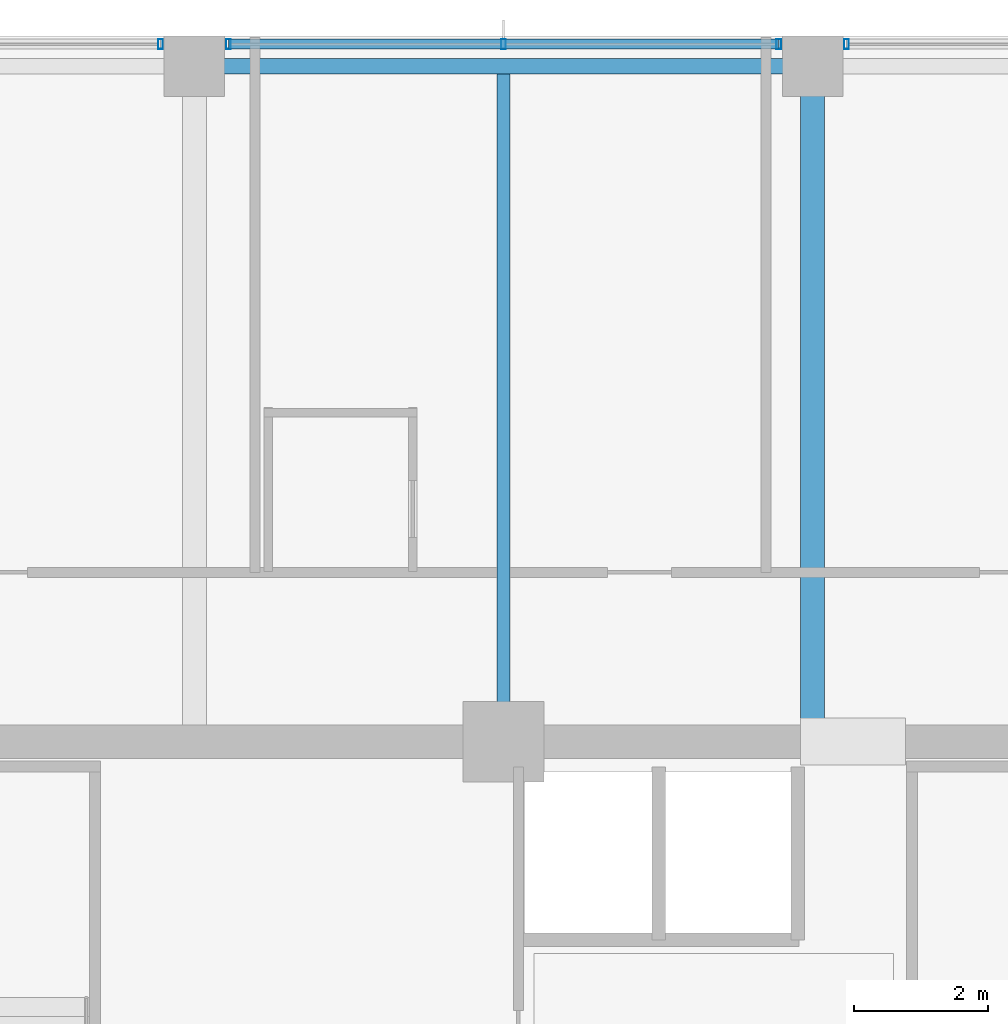
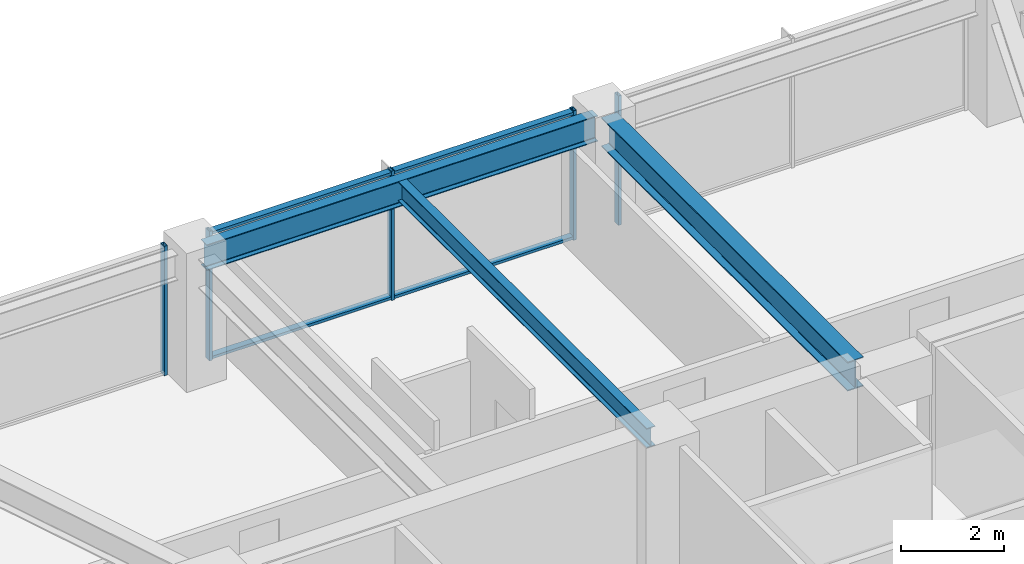
# One storey, part 18 of 34: 7 members, 3 beams, 3 elements without a shape of their own.
"""IFC4 building model written with IfcOpenShell, lengths in metres."""

from ifc_helpers import new_model, si_unit, direction, frame, origin, origin_2d, place, context, subcontext, project, spatial, hollow_rectangle, i_section, extrude, material, material_profile, profile_set, type_object, element, aggregate, save


model = new_model("IFC4")

# Units and contexts
model_context = context("Model", 3, precision=1e-05, world=origin(), true_north=direction((0.0, 1.0)))
body_context = subcontext(model_context, "Body", "Model", "MODEL_VIEW")
ifc_project = project(units=[si_unit("LENGTHUNIT", "METRE"), si_unit("AREAUNIT", "SQUARE_METRE"), si_unit("VOLUMEUNIT", "CUBIC_METRE"), si_unit("PLANEANGLEUNIT", "RADIAN"), si_unit("MASSUNIT", "GRAM", prefix="KILO")], contexts=[model_context])

# Site, building, storey
site_placement = place(None, origin())
site = spatial("IfcSite", under=ifc_project, at=site_placement, CompositionType="ELEMENT")
building_placement = place(site_placement, origin())
building = spatial("IfcBuilding", under=site, at=building_placement, Name="Kolvaren Belvedere", CompositionType="ELEMENT")
storey_placement = place(building_placement, frame((0.0, 0.0, 189.89990234375)))
storey = spatial("IfcBuildingStorey", under=building, at=storey_placement, Name="L55", CompositionType="ELEMENT", Elevation=189.89990234375)

# Beams
ifc_material_1 = material(Name="Structural steel ASTM A992 Grade 50", Category="steel")
ifc_material_profile_1 = material_profile(ifc_material_1, i_section(OverallWidth=0.35498046875, OverallDepth=0.696044921875, WebThickness=0.015380859375, FlangeThickness=0.02490234375, FilletRadius=0.02197265625, at=origin_2d()), Name="W27X146")
ifc_profile_set_1 = profile_set([ifc_material_profile_1], Name="Structural steel ASTM A992 Grade 50")
beam_type_1 = type_object("IfcBeamType", Name="BM-GIRD-W27X146", PredefinedType="BEAM", material=ifc_profile_set_1)
beam_1_placement = place(storey_placement, frame((4.60009765625, 10.14990234375, 2.732177734375), z_axis=(0.0, 1.0, 0.0), x_axis=(-1.0, 0.0, 0.0)))
element("IfcBeam", 1, at=beam_1_placement, inside=storey, type_object=beam_type_1, Name="L55 North Radial Girder P", PredefinedType="BEAM", context=body_context, shape_type="SweptSolid", body=[
    extrude(i_section(OverallWidth=0.35498046875, OverallDepth=0.696044921875, WebThickness=0.015380859375, FlangeThickness=0.02490234375, FilletRadius=0.02197265625, at=origin_2d()), origin(), (0.0, 0.0, 1.0), 9.59765625),
])
ifc_material_2 = material(Name="Structural steel ASTM A992 Grade 50", Category="steel")
ifc_material_profile_2 = material_profile(ifc_material_2, i_section(OverallWidth=0.19091796875, OverallDepth=0.4599609375, WebThickness=0.010009765625, FlangeThickness=0.01611328125, FilletRadius=0.014892578125, at=origin_2d()), Name="W18X55")
ifc_profile_set_2 = profile_set([ifc_material_profile_2], Name="Structural steel ASTM A992 Grade 50")
beam_type_2 = type_object("IfcBeamType", Name="BM-JOIST-W18X55", PredefinedType="BEAM", material=ifc_profile_set_2)
beam_2_placement = place(storey_placement, frame((0.0, 10.14990234375, 2.85009765625), z_axis=(0.0, 1.0, 0.0), x_axis=(-1.0, 0.0, 0.0)))
element("IfcBeam", 2, at=beam_2_placement, inside=storey, type_object=beam_type_2, Name="L55 North Centre Floor Beam", PredefinedType="BEAM", context=body_context, shape_type="SweptSolid", body=[
    extrude(i_section(OverallWidth=0.19091796875, OverallDepth=0.4599609375, WebThickness=0.010009765625, FlangeThickness=0.01611328125, FilletRadius=0.014892578125, at=origin_2d()), origin(), (0.0, 0.0, 1.0), 9.685546875),
])
ifc_material_3 = material(Name="Structural steel ASTM A992 Grade 50", Category="steel")
ifc_material_profile_3 = material_profile(ifc_material_3, i_section(OverallWidth=0.22900390625, OverallDepth=0.612060546875, WebThickness=0.011962890625, FlangeThickness=0.01953125, FilletRadius=0.01806640625, at=origin_2d()), Name="W24X84")
ifc_profile_set_3 = profile_set([ifc_material_profile_3], Name="Structural steel ASTM A992 Grade 50")
beam_type_3 = type_object("IfcBeamType", Name="BM-SPAN-W24X84", PredefinedType="SPANDREL", material=ifc_profile_set_3)
beam_3_placement = place(storey_placement, frame((4.3974609375, 19.949951171875, 2.774169921875), z_axis=(-1.0, 0.0, 0.0), x_axis=(0.0, -1.0, 0.0)))
element("IfcBeam", 3, at=beam_3_placement, inside=storey, type_object=beam_type_3, Name="L55 Perimeter Spandrel N3-N2", PredefinedType="SPANDREL", context=body_context, shape_type="SweptSolid", body=[
    extrude(i_section(OverallWidth=0.22900390625, OverallDepth=0.612060546875, WebThickness=0.011962890625, FlangeThickness=0.01953125, FilletRadius=0.01806640625, at=origin_2d()), origin(), (0.0, 0.0, 1.0), 8.794921875),
])

# Curtain wall, member
ifc_material_4 = material(Name="Anodised pale-metal aluminium AA 6063-T6", Category="aluminium")
curtain_wall_type = type_object("IfcCurtainWallType", Name="CW-Z5-HIGH", PredefinedType="NOTDEFINED", material=ifc_material_4)
curtain_wall_1_placement = place(storey_placement, origin())
curtain_wall_1 = element("IfcCurtainWall", 4, at=curtain_wall_1_placement, inside=storey, type_object=curtain_wall_type, Name="L55 Unitised Curtain Wall FCW-L55-N-B1", PredefinedType="NOTDEFINED")
ifc_material_5 = material(Name="Anodised pale-metal aluminium AA 6063-T6", Category="aluminium")
ifc_material_profile_4 = material_profile(ifc_material_5, hollow_rectangle(XDim=0.070068359375, YDim=0.14990234375, WallThickness=0.004150390625, at=origin_2d()), Name="ALU-MUL-150X70")
ifc_profile_set_4 = profile_set([ifc_material_profile_4], Name="Anodised pale-metal aluminium AA 6063-T6")
member_type_1 = type_object("IfcMemberType", Name="CW-MUL-150", PredefinedType="MULLION", material=ifc_profile_set_4)
member_1_placement = place(storey_placement, frame((-5.10498046875, 20.280029296875, 0.0), z_axis=(0.0, 0.0, 1.0), x_axis=(1.0, 0.0, 0.0)))
member_1 = element("IfcMember", 5, at=member_1_placement, type_object=member_type_1, Name="FCW-L55-N-B1 Unitised Mullion 3", PredefinedType="MULLION", context=body_context, shape_type="SweptSolid", body=[
    extrude(hollow_rectangle(XDim=0.070068359375, YDim=0.14990234375, WallThickness=0.004150390625, at=origin_2d()), origin(), (0.0, 0.0, 1.0), 3.080078125),
])
aggregate(curtain_wall_1, [member_1])

# Curtain wall, members
curtain_wall_2_placement = place(storey_placement, origin())
curtain_wall_2 = element("IfcCurtainWall", 6, at=curtain_wall_2_placement, inside=storey, type_object=curtain_wall_type, Name="L55 Unitised Curtain Wall FCW-L55-N-B2", PredefinedType="NOTDEFINED")
member_2_placement = place(storey_placement, frame((-4.094970703125, 20.280029296875, 0.0), z_axis=(0.0, 0.0, 1.0), x_axis=(1.0, 0.0, 0.0)))
member_2 = element("IfcMember", 7, at=member_2_placement, type_object=member_type_1, Name="FCW-L55-N-B2 Unitised Mullion 1", PredefinedType="MULLION", context=body_context, shape_type="SweptSolid", body=[
    extrude(hollow_rectangle(XDim=0.070068359375, YDim=0.14990234375, WallThickness=0.004150390625, at=origin_2d()), origin(), (0.0, 0.0, 1.0), 3.080078125),
])
member_3_placement = place(storey_placement, frame((0.0, 20.280029296875, 0.0), z_axis=(0.0, 0.0, 1.0), x_axis=(1.0, 0.0, 0.0)))
member_3 = element("IfcMember", 8, at=member_3_placement, type_object=member_type_1, Name="FCW-L55-N-B2 Unitised Mullion 2", PredefinedType="MULLION", context=body_context, shape_type="SweptSolid", body=[
    extrude(hollow_rectangle(XDim=0.070068359375, YDim=0.14990234375, WallThickness=0.004150390625, at=origin_2d()), origin(), (0.0, 0.0, 1.0), 3.080078125),
])
member_4_placement = place(storey_placement, frame((4.094970703125, 20.280029296875, 0.0), z_axis=(0.0, 0.0, 1.0), x_axis=(1.0, 0.0, 0.0)))
member_4 = element("IfcMember", 9, at=member_4_placement, type_object=member_type_1, Name="FCW-L55-N-B2 Unitised Mullion 3", PredefinedType="MULLION", context=body_context, shape_type="SweptSolid", body=[
    extrude(hollow_rectangle(XDim=0.070068359375, YDim=0.14990234375, WallThickness=0.004150390625, at=origin_2d()), origin(), (0.0, 0.0, 1.0), 3.080078125),
])

# Curtain wall, member
curtain_wall_3_placement = place(storey_placement, origin())
curtain_wall_3 = element("IfcCurtainWall", 10, at=curtain_wall_3_placement, inside=storey, type_object=curtain_wall_type, Name="L55 Unitised Curtain Wall FCW-L55-N-B3", PredefinedType="NOTDEFINED")
member_5_placement = place(storey_placement, frame((5.10498046875, 20.280029296875, 0.0), z_axis=(0.0, 0.0, 1.0), x_axis=(1.0, 0.0, 0.0)))
member_5 = element("IfcMember", 11, at=member_5_placement, type_object=member_type_1, Name="FCW-L55-N-B3 Unitised Mullion 1", PredefinedType="MULLION", context=body_context, shape_type="SweptSolid", body=[
    extrude(hollow_rectangle(XDim=0.070068359375, YDim=0.14990234375, WallThickness=0.004150390625, at=origin_2d()), origin(), (0.0, 0.0, 1.0), 3.080078125),
])
aggregate(curtain_wall_3, [member_5])

# Member
ifc_material_6 = material(Name="Anodised pale-metal aluminium AA 6063-T6", Category="aluminium")
ifc_material_profile_5 = material_profile(ifc_material_6, hollow_rectangle(XDim=0.06494140625, YDim=0.14990234375, WallThickness=0.00390625, at=origin_2d()), Name="ALU-TRN-150X65")
ifc_profile_set_5 = profile_set([ifc_material_profile_5], Name="Anodised pale-metal aluminium AA 6063-T6")
member_type_2 = type_object("IfcMemberType", Name="CW-TRN-150", PredefinedType="USERDEFINED", material=ifc_profile_set_5)
member_6_placement = place(storey_placement, frame((-4.094970703125, 20.280029296875, 0.06005859375), z_axis=(1.0, 0.0, 0.0), x_axis=(0.0, 0.0, 1.0)))
member_6 = element("IfcMember", 12, at=member_6_placement, type_object=member_type_2, Name="FCW-L55-N-B2 Sill Transom", ObjectType="TRANSOM", PredefinedType="USERDEFINED", context=body_context, shape_type="SweptSolid", body=[
    extrude(hollow_rectangle(XDim=0.06494140625, YDim=0.14990234375, WallThickness=0.00390625, at=origin_2d()), origin(), (0.0, 0.0, 1.0), 8.18994140625),
])

member_7_placement = place(storey_placement, frame((-4.094970703125, 20.280029296875, 3.02001953125), z_axis=(1.0, 0.0, 0.0), x_axis=(0.0, 0.0, 1.0)))
member_7 = element("IfcMember", 13, at=member_7_placement, type_object=member_type_2, Name="FCW-L55-N-B2 Head Transom", ObjectType="TRANSOM", PredefinedType="USERDEFINED", context=body_context, shape_type="SweptSolid", body=[
    extrude(hollow_rectangle(XDim=0.06494140625, YDim=0.14990234375, WallThickness=0.00390625, at=origin_2d()), origin(), (0.0, 0.0, 1.0), 8.18994140625),
])

aggregate(curtain_wall_2, [member_2, member_3, member_4, member_6, member_7])

save(model, "model.ifc")
